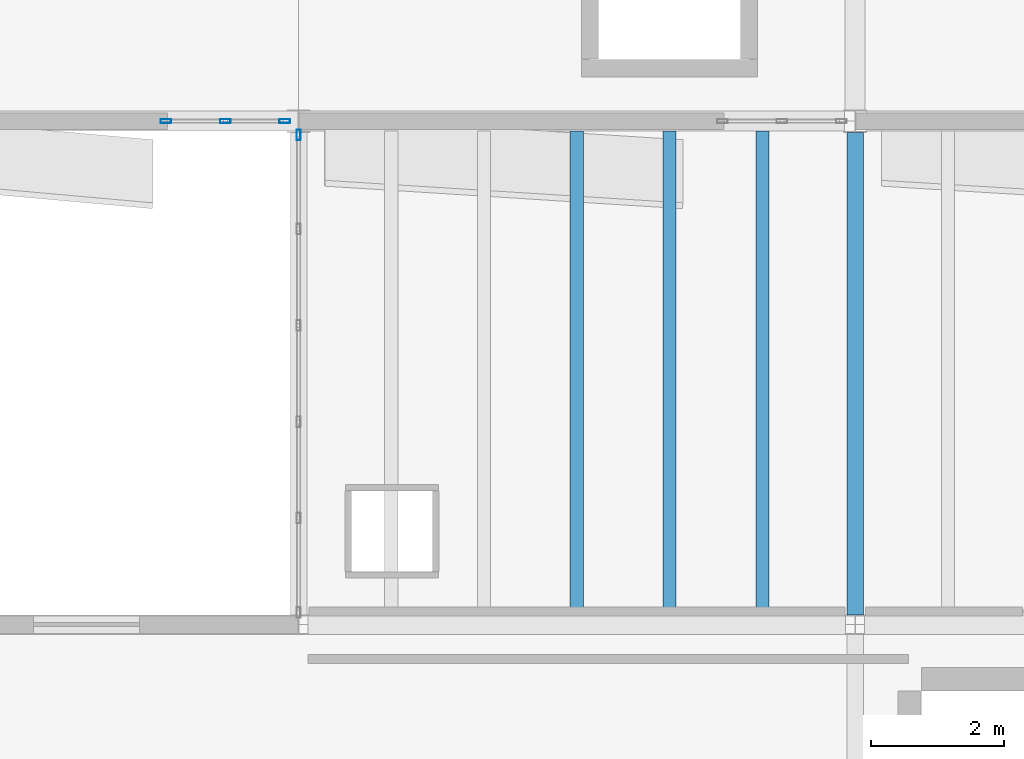
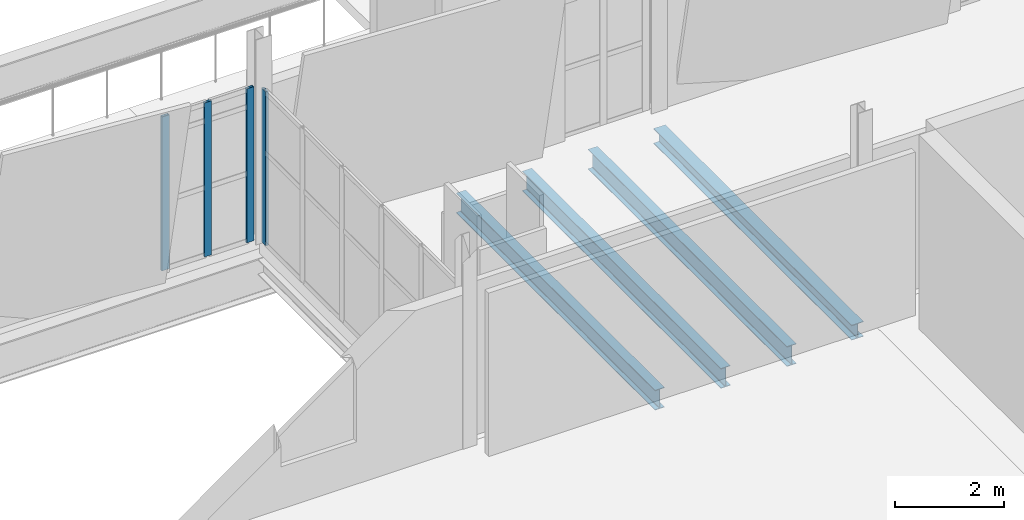
# One storey, part 14 of 136: 4 beams, 4 members, 2 elements without a shape of their own.
"""IFC4 building model written with IfcOpenShell, lengths in metres."""

from ifc_helpers import new_model, si_unit, direction, frame, origin, origin_2d, place, context, subcontext, project, spatial, hollow_rectangle, i_section, extrude, material, material_profile, profile_set, type_object, element, aggregate, save


model = new_model("IFC4")

# Units and contexts
model_context = context("Model", 3, precision=1e-05, world=origin(), true_north=direction((0.0, 1.0)))
body_context = subcontext(model_context, "Body", "Model", "MODEL_VIEW")
ifc_project = project(units=[si_unit("LENGTHUNIT", "METRE"), si_unit("AREAUNIT", "SQUARE_METRE"), si_unit("VOLUMEUNIT", "CUBIC_METRE"), si_unit("PLANEANGLEUNIT", "RADIAN"), si_unit("MASSUNIT", "GRAM", prefix="KILO")], contexts=[model_context])

# Site, building, storey
site_placement = place(None, origin())
site = spatial("IfcSite", under=ifc_project, at=site_placement, CompositionType="ELEMENT")
building_placement = place(site_placement, origin())
building = spatial("IfcBuilding", under=site, at=building_placement, Name="Shengluoqiao Park Theatre", CompositionType="ELEMENT")
storey_placement = place(building_placement, frame((0.0, 0.0, 10.0)))
storey = spatial("IfcBuildingStorey", under=building, at=storey_placement, Name="L02", CompositionType="ELEMENT", Elevation=10.0)

# Curtain wall, members
ifc_material_1 = material(Name="Aluminium 6063-T6", Category="aluminium")
curtain_wall_type_1 = type_object("IfcCurtainWallType", Name="ENV-CW-STUDIO", PredefinedType="NOTDEFINED", material=ifc_material_1)
curtain_wall_1_placement = place(storey_placement, origin())
curtain_wall_1 = element("IfcCurtainWall", 1, at=curtain_wall_1_placement, inside=storey, type_object=curtain_wall_type_1, Name="L02 Curtain Wall CWX-L02-0024", PredefinedType="NOTDEFINED")
ifc_material_profile_1 = material_profile(ifc_material_1, hollow_rectangle(XDim=0.06005859375, YDim=0.159912109375, WallThickness=0.00390625, InnerFilletRadius=0.00390625, OuterFilletRadius=0.008056640625, at=origin_2d()), Name="ALU MULLION 160x60x4")
ifc_profile_set_1 = profile_set([ifc_material_profile_1], Name="Aluminium 6063-T6")
member_type = type_object("IfcMemberType", Name="ENV-MUL-160", PredefinedType="MULLION", material=ifc_profile_set_1)
member_1_placement = place(storey_placement, frame((17.197021484375, 30.39990234375, 0.0), z_axis=(0.0, 0.0, 1.0), x_axis=(0.0, 1.0, 0.0)))
member_1 = element("IfcMember", 2, at=member_1_placement, type_object=member_type, Name="CW-02 mullion 1", PredefinedType="MULLION", context=body_context, shape_type="SweptSolid", body=[
    extrude(hollow_rectangle(XDim=0.06005859375, YDim=0.159912109375, WallThickness=0.00390625, InnerFilletRadius=0.00390625, OuterFilletRadius=0.008056640625, at=origin_2d()), origin(), (0.0, 0.0, 1.0), 3.4580078125),
])
member_2_placement = place(storey_placement, frame((18.094482421875, 30.39990234375, 0.0), z_axis=(0.0, 0.0, 1.0), x_axis=(0.0, 1.0, 0.0)))
member_2 = element("IfcMember", 3, at=member_2_placement, type_object=member_type, Name="CW-02 mullion 2", PredefinedType="MULLION", context=body_context, shape_type="SweptSolid", body=[
    extrude(hollow_rectangle(XDim=0.06005859375, YDim=0.159912109375, WallThickness=0.00390625, InnerFilletRadius=0.00390625, OuterFilletRadius=0.008056640625, at=origin_2d()), origin(), (0.0, 0.0, 1.0), 3.4580078125),
])
member_3_placement = place(storey_placement, frame((18.991943359375, 30.39990234375, 0.0), z_axis=(0.0, 0.0, 1.0), x_axis=(0.0, 1.0, 0.0)))
member_3 = element("IfcMember", 4, at=member_3_placement, type_object=member_type, Name="CW-02 mullion 3", PredefinedType="MULLION", context=body_context, shape_type="SweptSolid", body=[
    extrude(hollow_rectangle(XDim=0.06005859375, YDim=0.159912109375, WallThickness=0.00390625, InnerFilletRadius=0.00390625, OuterFilletRadius=0.008056640625, at=origin_2d()), origin(), (0.0, 0.0, 1.0), 3.4580078125),
])
aggregate(curtain_wall_1, [member_1, member_2, member_3])

# Curtain wall, member
curtain_wall_type_2 = type_object("IfcCurtainWallType", Name="ENV-CW-COURT", PredefinedType="NOTDEFINED", material=ifc_material_1)
curtain_wall_2_placement = place(storey_placement, origin())
curtain_wall_2 = element("IfcCurtainWall", 5, at=curtain_wall_2_placement, inside=storey, type_object=curtain_wall_type_2, Name="L02 Curtain Wall CWX-L02-0165", PredefinedType="NOTDEFINED")
member_4_placement = place(storey_placement, frame((19.199951171875, 30.194091796875, 0.0), z_axis=(0.0, 0.0, 1.0), x_axis=(-1.0, 0.0, 0.0)))
member_4 = element("IfcMember", 6, at=member_4_placement, type_object=member_type, Name="CW-05 mullion 6", PredefinedType="MULLION", context=body_context, shape_type="SweptSolid", body=[
    extrude(hollow_rectangle(XDim=0.06005859375, YDim=0.159912109375, WallThickness=0.00390625, InnerFilletRadius=0.00390625, OuterFilletRadius=0.008056640625, at=origin_2d()), origin(), (0.0, 0.0, 1.0), 3.4580078125),
])
aggregate(curtain_wall_2, [member_4])

# Beams
ifc_material_2 = material(Name="Steel Q355", Category="steel")
ifc_material_profile_2 = material_profile(ifc_material_2, i_section(OverallWidth=0.25, OverallDepth=0.340087890625, WebThickness=0.009033203125, FlangeThickness=0.013916015625, FilletRadius=0.01611328125, at=origin_2d()), Name="HM 340x250x9x14")
ifc_profile_set_2 = profile_set([ifc_material_profile_2], Name="Steel Q355")
beam_type_1 = type_object("IfcBeamType", Name="STR-BM-G-HM340", PredefinedType="BEAM", material=ifc_profile_set_2)
beam_placement = place(storey_placement, frame((27.60009765625, 22.944091796875, -0.510009765625), z_axis=(0.0, 1.0, 0.0), x_axis=(-1.0, 0.0, 0.0)))
element("IfcBeam", 7, at=beam_placement, inside=storey, type_object=beam_type_1, Name="L02 Transverse Girder 00933", PredefinedType="BEAM", context=body_context, shape_type="SweptSolid", body=[
    extrude(i_section(OverallWidth=0.25, OverallDepth=0.340087890625, WebThickness=0.009033203125, FlangeThickness=0.013916015625, FilletRadius=0.01611328125, at=origin_2d()), origin(), (0.0, 0.0, 1.0), 7.286865234375),
])
ifc_material_profile_3 = material_profile(ifc_material_2, i_section(OverallWidth=0.199951171875, OverallDepth=0.449951171875, WebThickness=0.009033203125, FlangeThickness=0.013916015625, FilletRadius=0.01611328125, at=origin_2d()), Name="HN 450x200x9x14")
ifc_profile_set_3 = profile_set([ifc_material_profile_3], Name="Steel Q355")
beam_type_2 = type_object("IfcBeamType", Name="STR-BM-J-HN450", PredefinedType="JOIST", material=ifc_profile_set_3)
for number, where, z_axis, x_axis, name in (
    (8, (23.39990234375, 22.945068359375, -0.56494140625), (0.0, 1.0, 0.0), (-1.0, 0.0, 0.0), "L02 Composite Joist 00937"),
    (9, (24.800048828125, 22.945068359375, -0.56494140625), (0.0, 1.0, 0.0), (-1.0, 0.0, 0.0), "L02 Composite Joist 00938"),
    (10, (26.199951171875, 22.945068359375, -0.56494140625), (0.0, 1.0, 0.0), (-1.0, 0.0, 0.0), "L02 Composite Joist 00939"),
):
    element("IfcBeam", number, at=place(storey_placement, frame(where, z_axis=z_axis, x_axis=x_axis)), inside=storey, type_object=beam_type_2, Name=name, PredefinedType="JOIST", context=body_context, shape_type="SweptSolid", body=[
        extrude(i_section(OverallWidth=0.199951171875, OverallDepth=0.449951171875, WebThickness=0.009033203125, FlangeThickness=0.013916015625, FilletRadius=0.01611328125, at=origin_2d()), origin(), (0.0, 0.0, 1.0), 7.309814453125),
    ])

save(model, "model.ifc")
